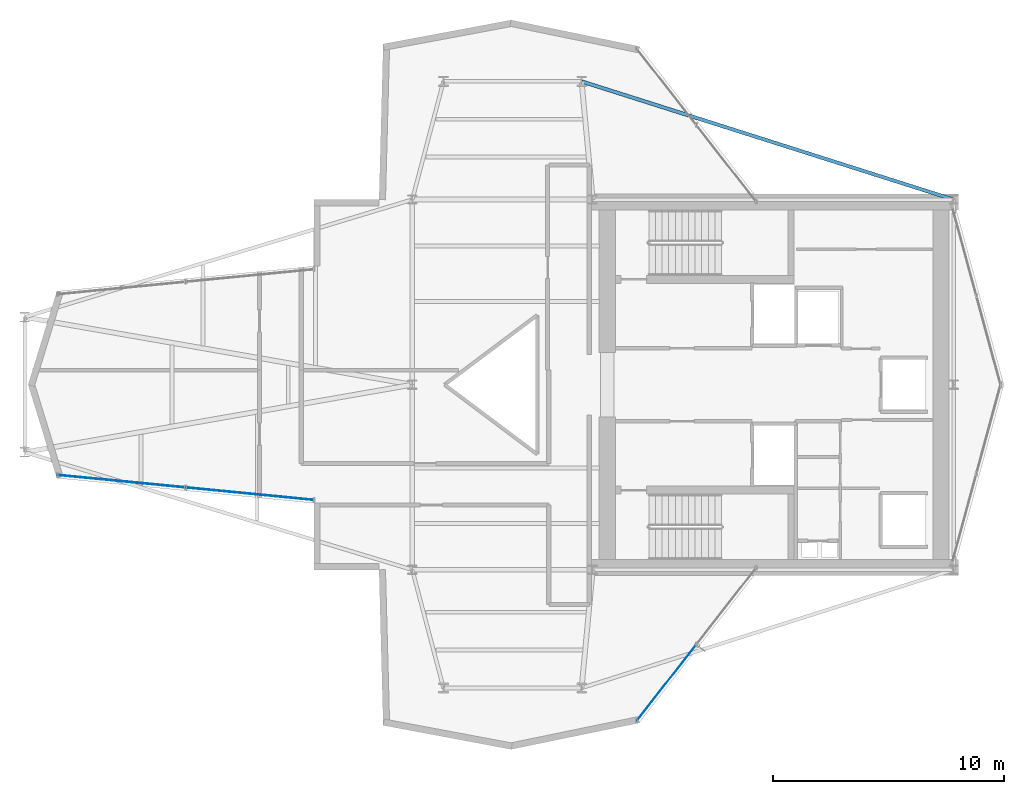
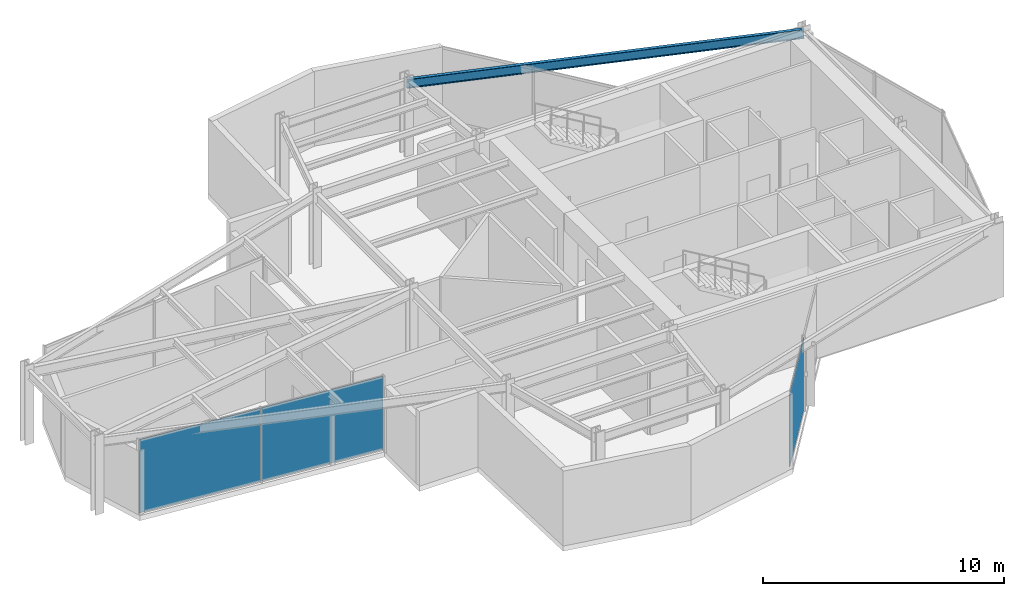
# One storey, part 16 of 21: 3 plates, 1 beam, 2 elements without a shape of their own.
"""IFC4 building model written with IfcOpenShell, lengths in metres."""

from ifc_helpers import new_model, si_unit, direction, frame, origin, origin_2d, place, context, subcontext, project, spatial, rectangle, i_section, extrude, material, layer, layer_set, material_profile, profile_set, type_object, element, aggregate, save


model = new_model("IFC4")

# Units and contexts
model_context = context("Model", 3, precision=1e-05, world=origin(), true_north=direction((0.0, 1.0)))
body_context = subcontext(model_context, "Body", "Model", "MODEL_VIEW")
ifc_project = project(units=[si_unit("LENGTHUNIT", "METRE"), si_unit("AREAUNIT", "SQUARE_METRE"), si_unit("VOLUMEUNIT", "CUBIC_METRE"), si_unit("PLANEANGLEUNIT", "RADIAN"), si_unit("MASSUNIT", "GRAM", prefix="KILO")], contexts=[model_context])

# Site, building, storey
site_placement = place(None, origin())
site = spatial("IfcSite", under=ifc_project, at=site_placement, CompositionType="ELEMENT")
building_placement = place(site_placement, origin())
building = spatial("IfcBuilding", under=site, at=building_placement, Name="Veymaron Broadcast Tower", CompositionType="ELEMENT")
storey_placement = place(building_placement, frame((0.0, 0.0, 244.5)))
storey = spatial("IfcBuildingStorey", under=building, at=storey_placement, Name="L57", CompositionType="ELEMENT", Elevation=244.5)

# Beam
ifc_material_1 = material(Name="Structural steel ASTM A992 Gr 50", Category="steel")
ifc_material_profile = material_profile(ifc_material_1, i_section(OverallWidth=0.154052734375, OverallDepth=0.458984375, WebThickness=0.009033203125, FlangeThickness=0.015380859375, at=origin_2d()), Name="W460X68")
ifc_profile_set = profile_set([ifc_material_profile], Name="Structural steel ASTM A992 Gr 50")
beam_type = type_object("IfcBeamType", Name="BM-SP2", PredefinedType="SPANDREL", material=ifc_profile_set)
beam_placement = place(storey_placement, frame((54.60009765625, 32.0, 3.560546875), z_axis=(-0.953081470831, 0.302713907772, 0.0), x_axis=(-0.302713907772, -0.953081470831, 0.0)))
element("IfcBeam", 1, at=beam_placement, inside=storey, type_object=beam_type, Name="L57 primary structural floor girder", PredefinedType="SPANDREL", context=body_context, shape_type="SweptSolid", body=[
    extrude(i_section(OverallWidth=0.154052734375, OverallDepth=0.458984375, WebThickness=0.009033203125, FlangeThickness=0.015380859375, at=origin_2d()), origin(), (0.0, 0.0, 1.0), 16.873779296875),
])

# Curtain wall, plates
ifc_material_2 = material(Name="Anodised aluminium AA 6063-T6 and laminated low-E dark glass", Category="aluminium")
ifc_layer_1 = layer(ifc_material_2, 0.179931640625)
ifc_layer_set_1 = layer_set([ifc_layer_1], Name="Anodised aluminium AA 6063-T6 and laminated low-E dark glass")
curtain_wall_type = type_object("IfcCurtainWallType", Name="CW-SYS-05", PredefinedType="NOTDEFINED", material=ifc_layer_set_1)
curtain_wall_1_placement = place(storey_placement, origin())
curtain_wall_1 = element("IfcCurtainWall", 2, at=curtain_wall_1_placement, inside=storey, type_object=curtain_wall_type, Name="L57 dark-glass curtain wall CW-L57-E14-1", PredefinedType="NOTDEFINED")
ifc_material_3 = material(Name="Double-silver solar-control dark glass IGU 32 mm", Category="glass")
ifc_layer_2 = layer(ifc_material_3, 0.031982421875)
ifc_layer_set_2 = layer_set([ifc_layer_2], Name="Double-silver solar-control dark glass IGU 32 mm")
plate_type = type_object("IfcPlateType", Name="CW-PNL-02", PredefinedType="CURTAIN_PANEL", material=ifc_layer_set_2)
plate_1_placement = place(storey_placement, frame((18.629150390625, 19.826904296875, 0.0400390625), z_axis=(0.0, 0.0, 1.0), x_axis=(0.995288516672, -0.096957560721, 0.0)))
plate_1 = element("IfcPlate", 3, at=plate_1_placement, type_object=plate_type, Name="CW-L57-E14-1 unitised curtain panel 0", PredefinedType="CURTAIN_PANEL", context=body_context, shape_type="SweptSolid", body=[
    extrude(rectangle(XDim=5.517578125, YDim=0.031982421875, at=origin_2d()), origin(), (0.0, 0.0, 1.0), 3.7099609375),
])
plate_2_placement = place(storey_placement, frame((24.180419921875, 19.2861328125, 0.0400390625), z_axis=(0.0, 0.0, 1.0), x_axis=(0.995288516672, -0.096957560721, 0.0)))
plate_2 = element("IfcPlate", 4, at=plate_2_placement, type_object=plate_type, Name="CW-L57-E14-1 unitised curtain panel 1", PredefinedType="CURTAIN_PANEL", context=body_context, shape_type="SweptSolid", body=[
    extrude(rectangle(XDim=5.517578125, YDim=0.031982421875, at=origin_2d()), origin(), (0.0, 0.0, 1.0), 3.7099609375),
])
aggregate(curtain_wall_1, [plate_1, plate_2])

# Curtain wall, plate
curtain_wall_2_placement = place(storey_placement, origin())
curtain_wall_2 = element("IfcCurtainWall", 5, at=curtain_wall_2_placement, inside=storey, type_object=curtain_wall_type, Name="L57 dark-glass curtain wall CW-L57-E20-1", PredefinedType="NOTDEFINED")
plate_3_placement = place(storey_placement, frame((42.18798828125, 11.11865234375, 0.0400390625), z_axis=(0.0, 0.0, 1.0), x_axis=(0.615290065661, 0.788300789736, 0.0)))
plate_3 = element("IfcPlate", 6, at=plate_3_placement, type_object=plate_type, Name="CW-L57-E20-1 unitised curtain panel 0", PredefinedType="CURTAIN_PANEL", context=body_context, shape_type="SweptSolid", body=[
    extrude(rectangle(XDim=4.140869140625, YDim=0.031982421875, at=origin_2d()), origin(), (0.0, 0.0, 1.0), 3.7099609375),
])
aggregate(curtain_wall_2, [plate_3])

save(model, "model.ifc")
